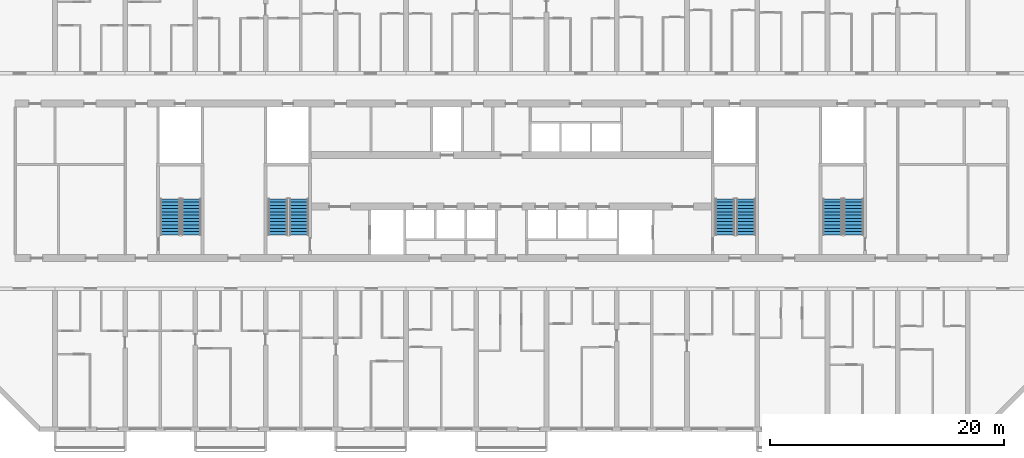
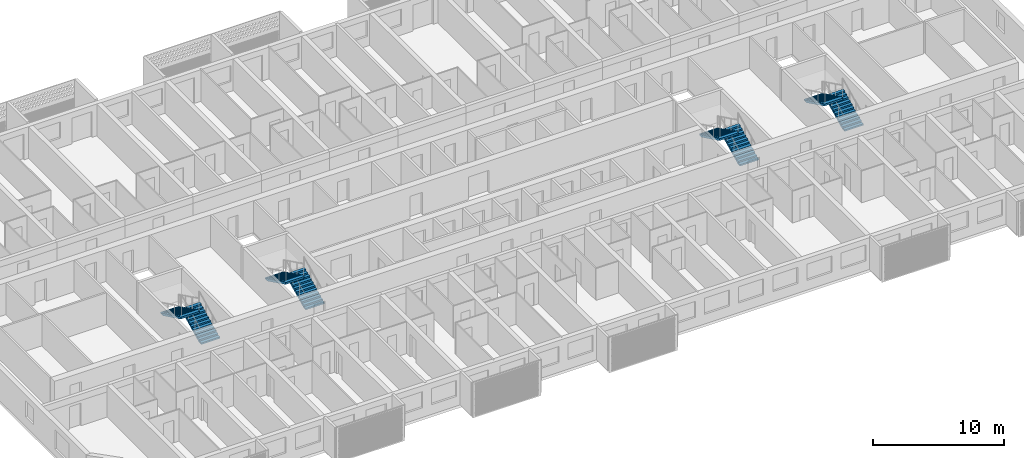
# One storey, part 17 of 39: 8 stair flights, 4 elements without a shape of their own.
"""IFC4 building model written with IfcOpenShell, lengths in metres."""

import ifcopenshell
import ifcopenshell.guid

model = None  # the IFC model being written
_history = None  # IfcOwnerHistory: only IFC2X3 demands one
_inside = {}  # id of a spatial element -> (the spatial element, [elements in it])
_under = {}  # id of a project, library or spatial element -> (it, [spatial elements below it])
_declared = {}  # id of a project -> (the project, [libraries it declares])
_typed = {}  # id of a type object -> (the type object, [elements of that type])
_made_of = {}  # id of a material, layer set ... -> (it, [elements and type objects made of it])


def new_model(schema):
    """Start an empty IFC model of exactly this schema.

    Asked for "IFC4X3", IfcOpenShell would pick the latest addendum, in which some entities
    have other attributes; the version numbers below select the first issue.
    IFC2X3 requires an IfcOwnerHistory on every rooted entity: one is made here for all.
    """
    global model, _history
    if schema == "IFC4X3":
        model = ifcopenshell.file(schema_version=(4, 3, 0, 0))
    else:
        model = ifcopenshell.file(schema=schema)
    _inside.clear()
    _under.clear()
    _declared.clear()
    _typed.clear()
    _made_of.clear()
    _history = None
    if model.schema == "IFC2X3":
        org = make("IfcOrganization", Name="unknown")
        user = make(
            "IfcPersonAndOrganization",
            ThePerson=make("IfcPerson", FamilyName="unknown"),
            TheOrganization=org,
        )
        app = make(
            "IfcApplication",
            ApplicationDeveloper=org,
            Version="unknown",
            ApplicationFullName="unknown",
            ApplicationIdentifier="unknown",
        )
        _history = make(
            "IfcOwnerHistory",
            OwningUser=user,
            OwningApplication=app,
            ChangeAction="ADDED",
            CreationDate=0,
        )
    return model


def make(cls, **values):
    """One entity of the class cls with the attributes given. An attribute that is None is left unset."""
    return model.create_entity(
        cls, **{name: value for name, value in values.items() if value is not None}
    )


def rooted(cls, **values):
    """An entity with a GlobalId (a new one), such as an element, a storey or a relation."""
    return make(cls, GlobalId=ifcopenshell.guid.new(), OwnerHistory=_history, **values)


def si_unit(unit_type, name, prefix=None):
    """IfcSIUnit, for example si_unit("LENGTHUNIT", "METRE", prefix="MILLI")."""
    return make("IfcSIUnit", UnitType=unit_type, Prefix=prefix, Name=name)


def assignment(units):
    """IfcUnitAssignment: the units of a project."""
    return None if units is None else make("IfcUnitAssignment", Units=units)


def point(xyz):
    """IfcCartesianPoint."""
    return None if xyz is None else make("IfcCartesianPoint", Coordinates=xyz)


def direction(xyz):
    """IfcDirection."""
    return None if xyz is None else make("IfcDirection", DirectionRatios=xyz)


def frame(location, z_axis=None, x_axis=None):
    """IfcAxis2Placement3D, a coordinate frame: its origin and axes. An axis left out is left unset."""
    return make(
        "IfcAxis2Placement3D",
        Location=point(location),
        Axis=direction(z_axis),
        RefDirection=direction(x_axis),
    )


def origin():
    """The frame at (0, 0, 0) with its axes left unset."""
    return frame((0.0, 0.0, 0.0))


def place(relative_to, where):
    """IfcLocalPlacement: puts the frame where relative to a parent placement (None: the world)."""
    return make(
        "IfcLocalPlacement", PlacementRelTo=relative_to, RelativePlacement=where
    )


def context(
    kind, dimensions, precision=None, world=None, true_north=None, identifier=None
):
    """IfcGeometricRepresentationContext, for example the 3D "Model" context."""
    return make(
        "IfcGeometricRepresentationContext",
        ContextIdentifier=identifier,
        ContextType=kind,
        CoordinateSpaceDimension=dimensions,
        Precision=precision,
        WorldCoordinateSystem=world,
        TrueNorth=true_north,
    )


def subcontext(parent, identifier, kind, view, scale=None):
    """IfcGeometricRepresentationSubContext, for example "Body" below "Model"."""
    return make(
        "IfcGeometricRepresentationSubContext",
        ContextIdentifier=identifier,
        ContextType=kind,
        ParentContext=parent,
        TargetScale=scale,
        TargetView=view,
    )


def project(units=None, contexts=None):
    """IfcProject with its units and contexts."""
    return rooted(
        "IfcProject",
        Name="project",
        RepresentationContexts=contexts,
        UnitsInContext=assignment(units),
    )


def spatial(cls, under=None, at=None, **own):
    """A site, building, storey or space (cls), placed at a placement, below another one or the project."""
    s = rooted(cls, ObjectPlacement=at, **own)
    if under is not None:
        _under.setdefault(under.id(), (under, []))[1].append(s)
    return s


def polyline(points):
    """IfcPolyline through the points."""
    return make("IfcPolyline", Points=[point(p) for p in points])


def outline(outer, holes=None, kind="AREA"):
    """IfcArbitraryClosedProfileDef: a profile drawn as a closed curve; with holes, ...WithVoids."""
    if holes is None:
        return make("IfcArbitraryClosedProfileDef", ProfileType=kind, OuterCurve=outer)
    return make(
        "IfcArbitraryProfileDefWithVoids",
        ProfileType=kind,
        OuterCurve=outer,
        InnerCurves=holes,
    )


def extrude(swept, where, along, depth):
    """IfcExtrudedAreaSolid: the profile swept, set in the frame where, extruded along a direction by depth."""
    return make(
        "IfcExtrudedAreaSolid",
        SweptArea=swept,
        Position=where,
        ExtrudedDirection=direction(along),
        Depth=depth,
    )


def shape(context_of_items, identifier, shape_type, items):
    """IfcShapeRepresentation: the items that make up one representation, for example the "Body"."""
    return make(
        "IfcShapeRepresentation",
        ContextOfItems=context_of_items,
        RepresentationIdentifier=identifier,
        RepresentationType=shape_type,
        Items=items,
    )


def material(Name=None, Category=None):
    """IfcMaterial."""
    return make("IfcMaterial", Name=Name, Category=Category)


def layer(
    of_material, thickness, ventilated=None, Name=None, Category=None, Priority=None
):
    """IfcMaterialLayer: one layer of a wall or slab, of a material (None: an air gap)."""
    return make(
        "IfcMaterialLayer",
        Material=of_material,
        LayerThickness=thickness,
        IsVentilated=ventilated,
        Name=Name,
        Category=Category,
        Priority=Priority,
    )


def layer_set(layers, Name=None):
    """IfcMaterialLayerSet."""
    return make("IfcMaterialLayerSet", MaterialLayers=layers, LayerSetName=Name)


def made_of(thing, what):
    """Note that an element or type object is made of a material, layer set ...; save() writes the relation."""
    if what is not None:
        _made_of.setdefault(what.id(), (what, []))[1].append(thing)
    return thing


def type_object(cls, material=None, **own):
    """A type object (cls), such as IfcWallType, which elements share."""
    return made_of(rooted(cls, **own), material)


def element(
    cls,
    number,
    at=None,
    inside=None,
    cuts=None,
    type_object=None,
    material=None,
    context=None,
    identifier="Body",
    shape_type=None,
    held_by="IfcProductDefinitionShape",
    body=None,
    shapes=None,
    **own,
):
    """One element of the class cls, such as IfcWall. Its Tag is "e" and its number.

    at: its placement. inside: the storey or other place that contains it. cuts: it is an
    opening in that element (IfcRelVoidsElement). A single representation is given by context,
    identifier, shape_type and body (its items); several are given by shapes. held_by: the class
    of the entity that holds the representations. save() writes the other relations.
    """
    e = rooted(cls, Tag="e%d" % number, ObjectPlacement=at, **own)
    if body is not None:
        shapes = [shape(context, identifier, shape_type, body)]
    if shapes is not None:
        e.Representation = make(held_by, Representations=shapes)
    if inside is not None:
        _inside.setdefault(inside.id(), (inside, []))[1].append(e)
    if cuts is not None:
        rooted(
            "IfcRelVoidsElement", RelatingBuildingElement=cuts, RelatedOpeningElement=e
        )
    if type_object is not None:
        _typed.setdefault(type_object.id(), (type_object, []))[1].append(e)
    return made_of(e, material)


def aggregate(whole, parts):
    """IfcRelAggregates: a whole, such as a stair, and the parts it consists of."""
    return rooted("IfcRelAggregates", RelatingObject=whole, RelatedObjects=parts)


def save(model, path):
    """Write the relations noted so far, then the file.

    IfcRelAggregates (storeys below a building ...), IfcRelContainedInSpatialStructure (elements
    in a storey), IfcRelDefinesByType, IfcRelAssociatesMaterial and IfcRelDeclares: one each for
    every whole, place, type object, material and project.
    """
    for whole, parts in _under.values():
        aggregate(whole, parts)
    for where, things in _inside.values():
        rooted(
            "IfcRelContainedInSpatialStructure",
            RelatedElements=things,
            RelatingStructure=where,
        )
    for kind, things in _typed.values():
        rooted("IfcRelDefinesByType", RelatedObjects=things, RelatingType=kind)
    for what, things in _made_of.values():
        rooted("IfcRelAssociatesMaterial", RelatedObjects=things, RelatingMaterial=what)
    for by, libraries in _declared.values():
        rooted("IfcRelDeclares", RelatingContext=by, RelatedDefinitions=libraries)
    model.write(path)


model = new_model("IFC4")

# Units and contexts
model_context = context("Model", 3, precision=1e-05, world=origin(), true_north=direction((0.0, 1.0)))
body_context = subcontext(model_context, "Body", "Model", "MODEL_VIEW")
ifc_project = project(units=[si_unit("LENGTHUNIT", "METRE"), si_unit("AREAUNIT", "SQUARE_METRE"), si_unit("VOLUMEUNIT", "CUBIC_METRE"), si_unit("PLANEANGLEUNIT", "RADIAN"), si_unit("MASSUNIT", "GRAM", prefix="KILO")], contexts=[model_context])

# Site, building, storey
site_placement = place(None, origin())
site = spatial("IfcSite", under=ifc_project, at=site_placement, CompositionType="ELEMENT")
building_placement = place(site_placement, origin())
building = spatial("IfcBuilding", under=site, at=building_placement, Name="Poui Terraces", CompositionType="ELEMENT")
storey_placement = place(building_placement, frame((0.0, 0.0, 63.0)))
storey = spatial("IfcBuildingStorey", under=building, at=storey_placement, Name="L17", CompositionType="ELEMENT", Elevation=63.0)

# Stair, stair flights
ifc_material = material(Name="Concrete 80 MPa", Category="concrete")
stair_type = type_object("IfcStairType", Name="EXIT STAIR 1650 80 MPA", PredefinedType="HALF_TURN_STAIR", material=ifc_material)
stair_1_placement = place(storey_placement, origin())
stair_1 = element("IfcStair", 1, at=stair_1_placement, inside=storey, type_object=stair_type, Name="L17 CORE STAIR EAST", PredefinedType="HALF_TURN_STAIR")
ifc_layer = layer(ifc_material, 0.14990234375)
ifc_layer_set = layer_set([ifc_layer], Name="Concrete 80 MPa")
stair_flight_type = type_object("IfcStairFlightType", Name="STAIR FLIGHT 12 RISERS 138 RISE 80 MPA", PredefinedType="STRAIGHT", material=ifc_layer_set)
stair_flight_1_placement = place(storey_placement, frame((71.050048828125, 16.60009765625, 0.0), z_axis=(0.0, 0.0, 1.0), x_axis=(0.0, 1.0, 0.0)))
stair_flight_1 = element("IfcStairFlight", 2, at=stair_flight_1_placement, type_object=stair_flight_type, Name="ST-CE flight 1", NumberOfRisers=12, NumberOfTreads=11, PredefinedType="STRAIGHT", RiserHeight=0.1375, TreadLength=0.28, context=body_context, shape_type="SweptSolid", body=[
    extrude(outline(polyline([(0.0, 0.0), (0.0, 0.137451171875), (0.280029296875, 0.137451171875), (0.280029296875, 0.27490234375), (0.56005859375, 0.27490234375), (0.56005859375, 0.41259765625), (0.840087890625, 0.41259765625), (0.840087890625, 0.550048828125), (1.1201171875, 0.550048828125), (1.1201171875, 0.6875), (1.39990234375, 0.6875), (1.39990234375, 0.824951171875), (1.679931640625, 0.824951171875), (1.679931640625, 0.96240234375), (1.9599609375, 0.96240234375), (1.9599609375, 1.10009765625), (2.239990234375, 1.10009765625), (2.239990234375, 1.237548828125), (2.52001953125, 1.237548828125), (2.52001953125, 1.375), (2.800048828125, 1.375), (2.800048828125, 1.512451171875), (3.080078125, 1.512451171875), (3.080078125, 1.64990234375), (3.080078125, 1.345458984375), (0.340087890625, 0.0), (0.0, 0.0)])), frame((0.0, 0.824951171875, 0.0), z_axis=(0.0, -1.0, 0.0), x_axis=(1.0, 0.0, 0.0)), (0.0, 0.0, 1.0), 1.64990234375),
])
stair_flight_2_placement = place(storey_placement, frame((69.25, 19.679931640625, 1.64990234375), z_axis=(0.0, 0.0, 1.0), x_axis=(0.0, -1.0, 0.0)))
stair_flight_2 = element("IfcStairFlight", 3, at=stair_flight_2_placement, type_object=stair_flight_type, Name="ST-CE flight 2", NumberOfRisers=12, NumberOfTreads=11, PredefinedType="STRAIGHT", RiserHeight=0.1375, TreadLength=0.28, context=body_context, shape_type="SweptSolid", body=[
    extrude(outline(polyline([(0.0, 0.0), (0.0, 0.137451171875), (0.280029296875, 0.137451171875), (0.280029296875, 0.27490234375), (0.56005859375, 0.27490234375), (0.56005859375, 0.41259765625), (0.840087890625, 0.41259765625), (0.840087890625, 0.550048828125), (1.1201171875, 0.550048828125), (1.1201171875, 0.6875), (1.39990234375, 0.6875), (1.39990234375, 0.824951171875), (1.679931640625, 0.824951171875), (1.679931640625, 0.96240234375), (1.9599609375, 0.96240234375), (1.9599609375, 1.10009765625), (2.239990234375, 1.10009765625), (2.239990234375, 1.237548828125), (2.52001953125, 1.237548828125), (2.52001953125, 1.375), (2.800048828125, 1.375), (2.800048828125, 1.512451171875), (3.080078125, 1.512451171875), (3.080078125, 1.64990234375), (3.080078125, 1.345458984375), (0.340087890625, 0.0), (0.0, 0.0)])), frame((0.0, 0.824951171875, 0.0), z_axis=(0.0, -1.0, 0.0), x_axis=(1.0, 0.0, 0.0)), (0.0, 0.0, 1.0), 1.64990234375),
])
aggregate(stair_1, [stair_flight_1, stair_flight_2])

stair_2_placement = place(storey_placement, origin())
stair_2 = element("IfcStair", 4, at=stair_2_placement, inside=storey, type_object=stair_type, Name="L17 CORE STAIR WEST", PredefinedType="HALF_TURN_STAIR")
stair_flight_3_placement = place(storey_placement, frame((32.85009765625, 16.60009765625, 0.0), z_axis=(0.0, 0.0, 1.0), x_axis=(0.0, 1.0, 0.0)))
stair_flight_3 = element("IfcStairFlight", 5, at=stair_flight_3_placement, type_object=stair_flight_type, Name="ST-CW flight 1", NumberOfRisers=12, NumberOfTreads=11, PredefinedType="STRAIGHT", RiserHeight=0.1375, TreadLength=0.28, context=body_context, shape_type="SweptSolid", body=[
    extrude(outline(polyline([(0.0, 0.0), (0.0, 0.137451171875), (0.280029296875, 0.137451171875), (0.280029296875, 0.27490234375), (0.56005859375, 0.27490234375), (0.56005859375, 0.41259765625), (0.840087890625, 0.41259765625), (0.840087890625, 0.550048828125), (1.1201171875, 0.550048828125), (1.1201171875, 0.6875), (1.39990234375, 0.6875), (1.39990234375, 0.824951171875), (1.679931640625, 0.824951171875), (1.679931640625, 0.96240234375), (1.9599609375, 0.96240234375), (1.9599609375, 1.10009765625), (2.239990234375, 1.10009765625), (2.239990234375, 1.237548828125), (2.52001953125, 1.237548828125), (2.52001953125, 1.375), (2.800048828125, 1.375), (2.800048828125, 1.512451171875), (3.080078125, 1.512451171875), (3.080078125, 1.64990234375), (3.080078125, 1.345458984375), (0.340087890625, 0.0), (0.0, 0.0)])), frame((0.0, 0.824951171875, 0.0), z_axis=(0.0, -1.0, 0.0), x_axis=(1.0, 0.0, 0.0)), (0.0, 0.0, 1.0), 1.64990234375),
])
stair_flight_4_placement = place(storey_placement, frame((31.050048828125, 19.679931640625, 1.64990234375), z_axis=(0.0, 0.0, 1.0), x_axis=(0.0, -1.0, 0.0)))
stair_flight_4 = element("IfcStairFlight", 6, at=stair_flight_4_placement, type_object=stair_flight_type, Name="ST-CW flight 2", NumberOfRisers=12, NumberOfTreads=11, PredefinedType="STRAIGHT", RiserHeight=0.1375, TreadLength=0.28, context=body_context, shape_type="SweptSolid", body=[
    extrude(outline(polyline([(0.0, 0.0), (0.0, 0.137451171875), (0.280029296875, 0.137451171875), (0.280029296875, 0.27490234375), (0.56005859375, 0.27490234375), (0.56005859375, 0.41259765625), (0.840087890625, 0.41259765625), (0.840087890625, 0.550048828125), (1.1201171875, 0.550048828125), (1.1201171875, 0.6875), (1.39990234375, 0.6875), (1.39990234375, 0.824951171875), (1.679931640625, 0.824951171875), (1.679931640625, 0.96240234375), (1.9599609375, 0.96240234375), (1.9599609375, 1.10009765625), (2.239990234375, 1.10009765625), (2.239990234375, 1.237548828125), (2.52001953125, 1.237548828125), (2.52001953125, 1.375), (2.800048828125, 1.375), (2.800048828125, 1.512451171875), (3.080078125, 1.512451171875), (3.080078125, 1.64990234375), (3.080078125, 1.345458984375), (0.340087890625, 0.0), (0.0, 0.0)])), frame((0.0, 0.824951171875, 0.0), z_axis=(0.0, -1.0, 0.0), x_axis=(1.0, 0.0, 0.0)), (0.0, 0.0, 1.0), 1.64990234375),
])
aggregate(stair_2, [stair_flight_3, stair_flight_4])

stair_3_placement = place(storey_placement, origin())
stair_3 = element("IfcStair", 7, at=stair_3_placement, inside=storey, type_object=stair_type, Name="L17 TIP STAIR EAST", PredefinedType="HALF_TURN_STAIR")
stair_flight_5_placement = place(storey_placement, frame((80.25, 16.60009765625, 0.0), z_axis=(0.0, 0.0, 1.0), x_axis=(0.0, 1.0, 0.0)))
stair_flight_5 = element("IfcStairFlight", 8, at=stair_flight_5_placement, type_object=stair_flight_type, Name="ST-E flight 1", NumberOfRisers=12, NumberOfTreads=11, PredefinedType="STRAIGHT", RiserHeight=0.1375, TreadLength=0.28, context=body_context, shape_type="SweptSolid", body=[
    extrude(outline(polyline([(0.0, 0.0), (0.0, 0.137451171875), (0.280029296875, 0.137451171875), (0.280029296875, 0.27490234375), (0.56005859375, 0.27490234375), (0.56005859375, 0.41259765625), (0.840087890625, 0.41259765625), (0.840087890625, 0.550048828125), (1.1201171875, 0.550048828125), (1.1201171875, 0.6875), (1.39990234375, 0.6875), (1.39990234375, 0.824951171875), (1.679931640625, 0.824951171875), (1.679931640625, 0.96240234375), (1.9599609375, 0.96240234375), (1.9599609375, 1.10009765625), (2.239990234375, 1.10009765625), (2.239990234375, 1.237548828125), (2.52001953125, 1.237548828125), (2.52001953125, 1.375), (2.800048828125, 1.375), (2.800048828125, 1.512451171875), (3.080078125, 1.512451171875), (3.080078125, 1.64990234375), (3.080078125, 1.345458984375), (0.340087890625, 0.0), (0.0, 0.0)])), frame((0.0, 0.824951171875, 0.0), z_axis=(0.0, -1.0, 0.0), x_axis=(1.0, 0.0, 0.0)), (0.0, 0.0, 1.0), 1.64990234375),
])
stair_flight_6_placement = place(storey_placement, frame((78.449951171875, 19.679931640625, 1.64990234375), z_axis=(0.0, 0.0, 1.0), x_axis=(0.0, -1.0, 0.0)))
stair_flight_6 = element("IfcStairFlight", 9, at=stair_flight_6_placement, type_object=stair_flight_type, Name="ST-E flight 2", NumberOfRisers=12, NumberOfTreads=11, PredefinedType="STRAIGHT", RiserHeight=0.1375, TreadLength=0.28, context=body_context, shape_type="SweptSolid", body=[
    extrude(outline(polyline([(0.0, 0.0), (0.0, 0.137451171875), (0.280029296875, 0.137451171875), (0.280029296875, 0.27490234375), (0.56005859375, 0.27490234375), (0.56005859375, 0.41259765625), (0.840087890625, 0.41259765625), (0.840087890625, 0.550048828125), (1.1201171875, 0.550048828125), (1.1201171875, 0.6875), (1.39990234375, 0.6875), (1.39990234375, 0.824951171875), (1.679931640625, 0.824951171875), (1.679931640625, 0.96240234375), (1.9599609375, 0.96240234375), (1.9599609375, 1.10009765625), (2.239990234375, 1.10009765625), (2.239990234375, 1.237548828125), (2.52001953125, 1.237548828125), (2.52001953125, 1.375), (2.800048828125, 1.375), (2.800048828125, 1.512451171875), (3.080078125, 1.512451171875), (3.080078125, 1.64990234375), (3.080078125, 1.345458984375), (0.340087890625, 0.0), (0.0, 0.0)])), frame((0.0, 0.824951171875, 0.0), z_axis=(0.0, -1.0, 0.0), x_axis=(1.0, 0.0, 0.0)), (0.0, 0.0, 1.0), 1.64990234375),
])
aggregate(stair_3, [stair_flight_5, stair_flight_6])

stair_4_placement = place(storey_placement, origin())
stair_4 = element("IfcStair", 10, at=stair_4_placement, inside=storey, type_object=stair_type, Name="L17 TIP STAIR WEST", PredefinedType="HALF_TURN_STAIR")
stair_flight_7_placement = place(storey_placement, frame((23.64990234375, 16.60009765625, 0.0), z_axis=(0.0, 0.0, 1.0), x_axis=(0.0, 1.0, 0.0)))
stair_flight_7 = element("IfcStairFlight", 11, at=stair_flight_7_placement, type_object=stair_flight_type, Name="ST-W flight 1", NumberOfRisers=12, NumberOfTreads=11, PredefinedType="STRAIGHT", RiserHeight=0.1375, TreadLength=0.28, context=body_context, shape_type="SweptSolid", body=[
    extrude(outline(polyline([(0.0, 0.0), (0.0, 0.137451171875), (0.280029296875, 0.137451171875), (0.280029296875, 0.27490234375), (0.56005859375, 0.27490234375), (0.56005859375, 0.41259765625), (0.840087890625, 0.41259765625), (0.840087890625, 0.550048828125), (1.1201171875, 0.550048828125), (1.1201171875, 0.6875), (1.39990234375, 0.6875), (1.39990234375, 0.824951171875), (1.679931640625, 0.824951171875), (1.679931640625, 0.96240234375), (1.9599609375, 0.96240234375), (1.9599609375, 1.10009765625), (2.239990234375, 1.10009765625), (2.239990234375, 1.237548828125), (2.52001953125, 1.237548828125), (2.52001953125, 1.375), (2.800048828125, 1.375), (2.800048828125, 1.512451171875), (3.080078125, 1.512451171875), (3.080078125, 1.64990234375), (3.080078125, 1.345458984375), (0.340087890625, 0.0), (0.0, 0.0)])), frame((0.0, 0.824951171875, 0.0), z_axis=(0.0, -1.0, 0.0), x_axis=(1.0, 0.0, 0.0)), (0.0, 0.0, 1.0), 1.64990234375),
])
stair_flight_8_placement = place(storey_placement, frame((21.85009765625, 19.679931640625, 1.64990234375), z_axis=(0.0, 0.0, 1.0), x_axis=(0.0, -1.0, 0.0)))
stair_flight_8 = element("IfcStairFlight", 12, at=stair_flight_8_placement, type_object=stair_flight_type, Name="ST-W flight 2", NumberOfRisers=12, NumberOfTreads=11, PredefinedType="STRAIGHT", RiserHeight=0.1375, TreadLength=0.28, context=body_context, shape_type="SweptSolid", body=[
    extrude(outline(polyline([(0.0, 0.0), (0.0, 0.137451171875), (0.280029296875, 0.137451171875), (0.280029296875, 0.27490234375), (0.56005859375, 0.27490234375), (0.56005859375, 0.41259765625), (0.840087890625, 0.41259765625), (0.840087890625, 0.550048828125), (1.1201171875, 0.550048828125), (1.1201171875, 0.6875), (1.39990234375, 0.6875), (1.39990234375, 0.824951171875), (1.679931640625, 0.824951171875), (1.679931640625, 0.96240234375), (1.9599609375, 0.96240234375), (1.9599609375, 1.10009765625), (2.239990234375, 1.10009765625), (2.239990234375, 1.237548828125), (2.52001953125, 1.237548828125), (2.52001953125, 1.375), (2.800048828125, 1.375), (2.800048828125, 1.512451171875), (3.080078125, 1.512451171875), (3.080078125, 1.64990234375), (3.080078125, 1.345458984375), (0.340087890625, 0.0), (0.0, 0.0)])), frame((0.0, 0.824951171875, 0.0), z_axis=(0.0, -1.0, 0.0), x_axis=(1.0, 0.0, 0.0)), (0.0, 0.0, 1.0), 1.64990234375),
])
aggregate(stair_4, [stair_flight_7, stair_flight_8])

save(model, "model.ifc")
